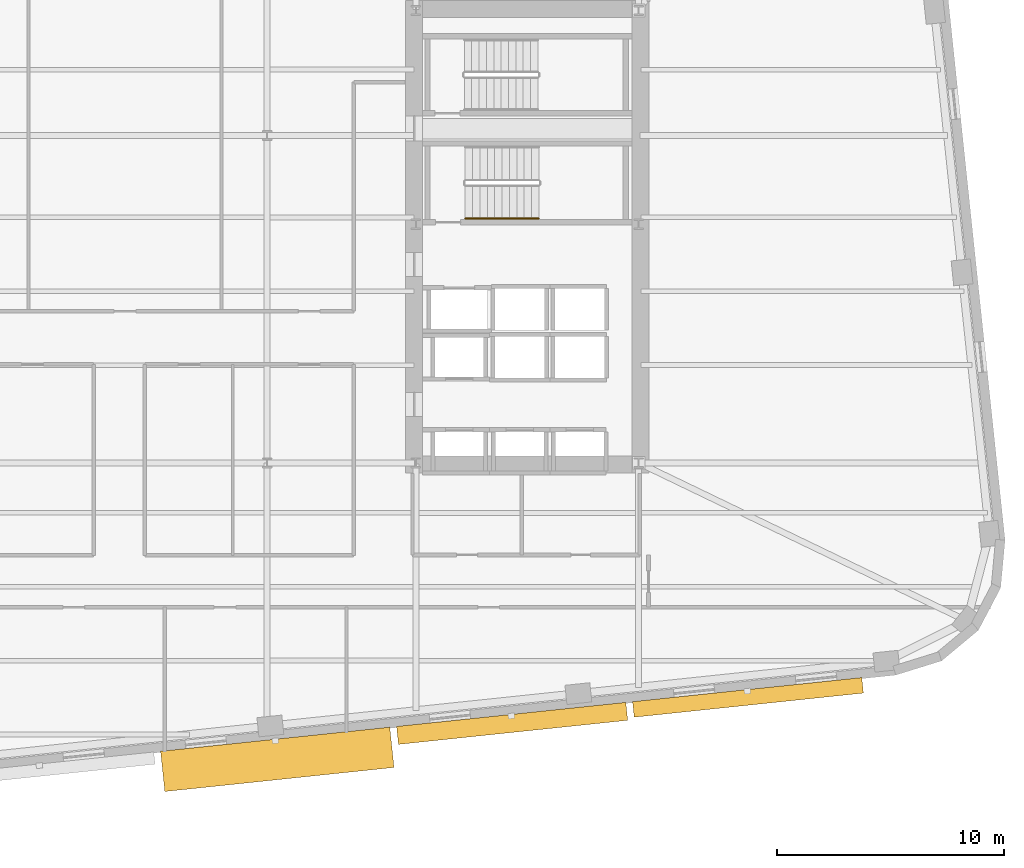
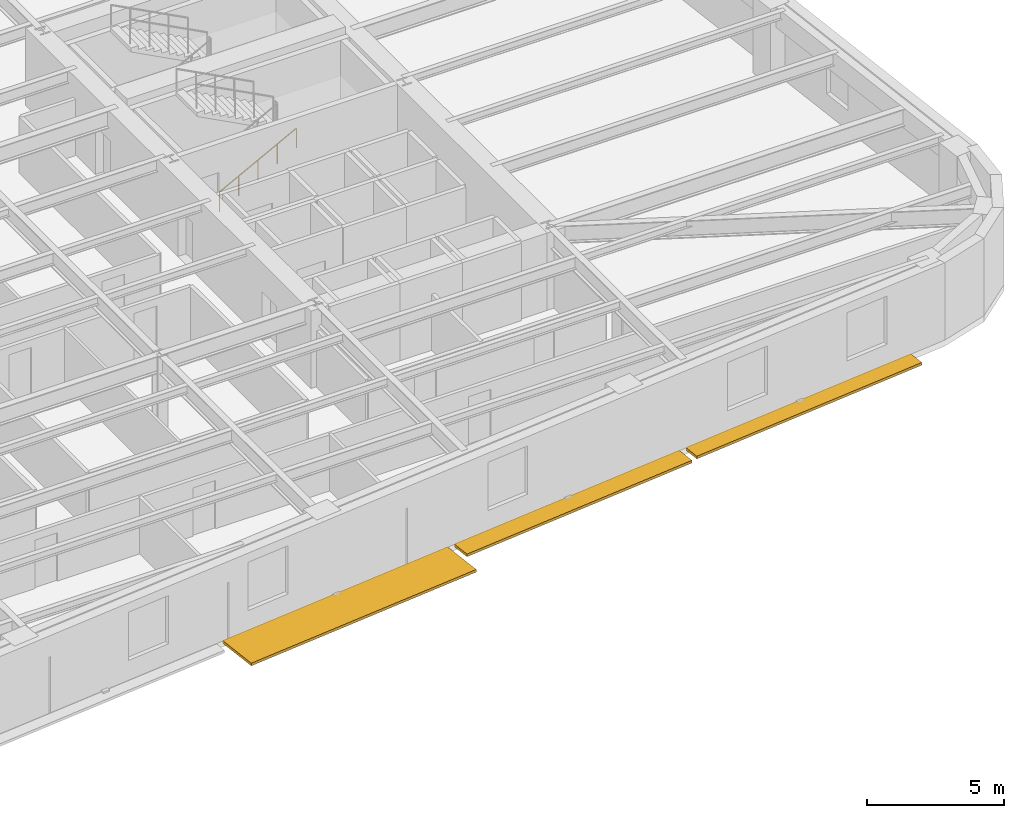
# One storey, part 9 of 11: 3 shading devices, 1 railing.
"""IFC4 building model written with IfcOpenShell, lengths in metres."""

from ifc_helpers import new_model, si_unit, direction, frame, origin, origin_2d, place, context, subcontext, project, spatial, rectangle, circle, extrude, material, type_object, element, save


model = new_model("IFC4")

# Units and contexts
model_context = context("Model", 3, precision=1e-05, world=origin(), true_north=direction((0.0, 1.0)))
body_context = subcontext(model_context, "Body", "Model", "MODEL_VIEW")
ifc_project = project(units=[si_unit("LENGTHUNIT", "METRE"), si_unit("AREAUNIT", "SQUARE_METRE"), si_unit("VOLUMEUNIT", "CUBIC_METRE"), si_unit("PLANEANGLEUNIT", "RADIAN"), si_unit("MASSUNIT", "GRAM", prefix="KILO")], contexts=[model_context])

# Site, building, storey
site_placement = place(None, origin())
site = spatial("IfcSite", under=ifc_project, at=site_placement, CompositionType="ELEMENT")
building_placement = place(site_placement, origin())
building = spatial("IfcBuilding", under=site, at=building_placement, Name="Kolvaren Arena Tower", CompositionType="ELEMENT")
storey_placement = place(building_placement, frame((0.0, 0.0, 122.199951171875)))
storey = spatial("IfcBuildingStorey", under=building, at=storey_placement, Name="L28", CompositionType="ELEMENT", Elevation=122.199951171875)

# Railing
ifc_material_1 = material(Name="Brushed stainless steel handrail", Category="steel")
railing_type = type_object("IfcRailingType", Name="HRAIL-900", PredefinedType="HANDRAIL", material=ifc_material_1)
railing_placement = place(storey_placement, frame((52.719970703125, 30.199951171875, 0.17041015625)))
element("IfcRailing", 1, at=railing_placement, inside=storey, type_object=railing_type, Name="L28 ST-E1 stair handrail 1", PredefinedType="HANDRAIL", context=body_context, shape_type="SweptSolid", body=[
    extrude(circle(Radius=0.02392578125, at=origin_2d()), frame((0.0, 0.0, 0.8759765625), z_axis=(0.884993431791, 0.0, 0.465603506952), x_axis=(0.0, 1.0, 0.0)), (0.0, 0.0, 1.0), 3.6611328125),
    extrude(circle(Radius=0.02099609375, at=origin_2d()), origin(), (0.0, 0.0, 1.0), 0.851806640625),
    extrude(circle(Radius=0.02099609375, at=origin_2d()), frame((0.81005859375, 0.0, 0.42626953125)), (0.0, 0.0, 1.0), 0.851806640625),
    extrude(circle(Radius=0.02099609375, at=origin_2d()), frame((1.6201171875, 0.0, 0.852294921875)), (0.0, 0.0, 1.0), 0.851806640625),
    extrude(circle(Radius=0.02099609375, at=origin_2d()), frame((2.429931640625, 0.0, 1.2783203125)), (0.0, 0.0, 1.0), 0.851806640625),
    extrude(circle(Radius=0.02099609375, at=origin_2d()), frame((3.239990234375, 0.0, 1.70458984375)), (0.0, 0.0, 1.0), 0.851806640625),
])

# Shading devices
ifc_material_2 = material(Name="Architectural precast GFRC and anodised aluminium sunshade", Category="concrete")
shading_device_type_1 = type_object("IfcShadingDeviceType", Name="SHAD-SINE-A", PredefinedType="USERDEFINED", material=ifc_material_2)
shading_device_1_placement = place(storey_placement, frame((65.16015625, 9.1318359375, -0.139892578125), z_axis=(0.0, 0.0, 1.0), x_axis=(-0.994522077803, -0.104526727499, 0.0)))
element("IfcShadingDevice", 2, at=shading_device_1_placement, inside=storey, type_object=shading_device_type_1, Name="Sinusoidal Slab-Edge Sunshade Louvre (L28)", ObjectType="LOUVRE", PredefinedType="USERDEFINED", context=body_context, shape_type="SweptSolid", body=[
    extrude(rectangle(XDim=10.139892578125, YDim=0.68896484375, at=origin_2d()), origin(), (0.0, 0.0, 1.0), 0.1201171875),
])
shading_device_2_placement = place(storey_placement, frame((54.782958984375, 7.98779296875, -0.139892578125), z_axis=(0.0, 0.0, 1.0), x_axis=(-0.994522077803, -0.104526727499, 0.0)))
element("IfcShadingDevice", 3, at=shading_device_2_placement, inside=storey, type_object=shading_device_type_1, Name="Sinusoidal Slab-Edge Sunshade Louvre (L28)", ObjectType="LOUVRE", PredefinedType="USERDEFINED", context=body_context, shape_type="SweptSolid", body=[
    extrude(rectangle(XDim=10.139892578125, YDim=0.794921875, at=origin_2d()), origin(), (0.0, 0.0, 1.0), 0.1201171875),
])
shading_device_type_2 = type_object("IfcShadingDeviceType", Name="SHAD-SINE-B", PredefinedType="JALOUSIE", material=ifc_material_2)
shading_device_3_placement = place(storey_placement, frame((44.45166015625, 6.4052734375, -0.139892578125), z_axis=(0.0, 0.0, 1.0), x_axis=(-0.994522077803, -0.104526727499, 0.0)))
element("IfcShadingDevice", 4, at=shading_device_3_placement, inside=storey, type_object=shading_device_type_2, Name="Sinusoidal Slab-Edge Sunshade Louvre (L28)", PredefinedType="JALOUSIE", context=body_context, shape_type="SweptSolid", body=[
    extrude(rectangle(XDim=10.139892578125, YDim=1.783203125, at=origin_2d()), origin(), (0.0, 0.0, 1.0), 0.1201171875),
])

save(model, "model.ifc")
